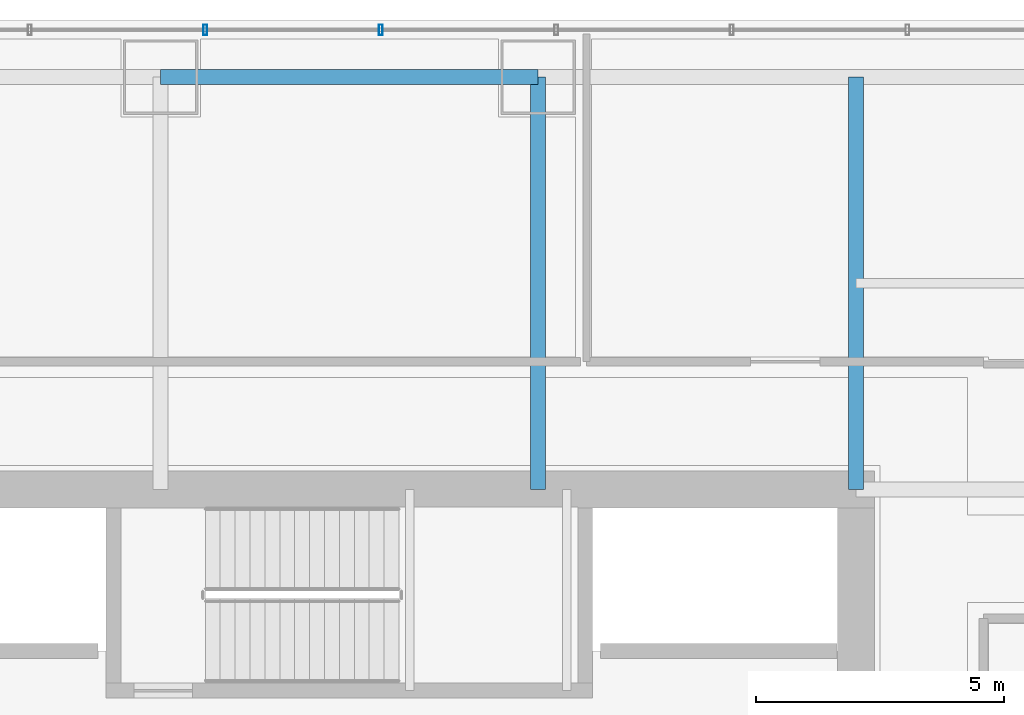
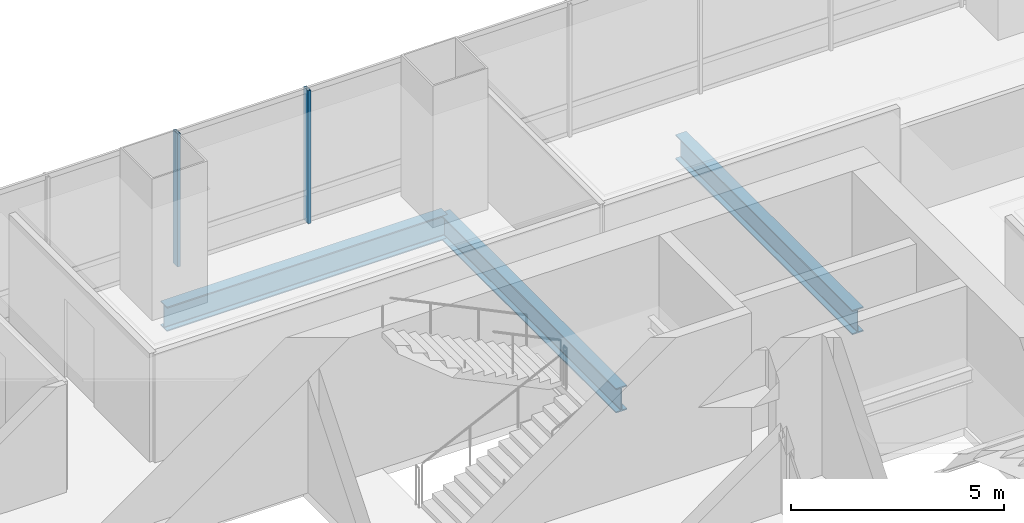
# One storey, part 20 of 35: 3 beams, 2 members, 1 element without a shape of its own.
"""IFC4 building model written with IfcOpenShell, lengths in metres."""

from ifc_helpers import new_model, si_unit, direction, frame, origin, origin_2d, place, context, subcontext, project, spatial, hollow_rectangle, i_section, extrude, material, material_profile, profile_set, type_object, element, aggregate, save


model = new_model("IFC4")

# Units and contexts
model_context = context("Model", 3, precision=1e-05, world=origin(), true_north=direction((0.0, 1.0)))
body_context = subcontext(model_context, "Body", "Model", "MODEL_VIEW")
ifc_project = project(units=[si_unit("LENGTHUNIT", "METRE"), si_unit("AREAUNIT", "SQUARE_METRE"), si_unit("VOLUMEUNIT", "CUBIC_METRE"), si_unit("PLANEANGLEUNIT", "RADIAN"), si_unit("MASSUNIT", "GRAM", prefix="KILO")], contexts=[model_context])

# Site, building, storey
site_placement = place(None, origin())
site = spatial("IfcSite", under=ifc_project, at=site_placement, CompositionType="ELEMENT")
building_placement = place(site_placement, origin())
building = spatial("IfcBuilding", under=site, at=building_placement, Name="Punatoya Terracotta Tower", CompositionType="ELEMENT")
storey_placement = place(building_placement, frame((0.0, 0.0, 64.64990234375)))
storey = spatial("IfcBuildingStorey", under=building, at=storey_placement, Name="L14", CompositionType="ELEMENT", Elevation=64.64990234375)

# Beams
ifc_material_1 = material(Name="Steel S355", Category="steel")
ifc_material_profile_1 = material_profile(ifc_material_1, i_section(OverallWidth=0.300048828125, OverallDepth=0.699951171875, WebThickness=0.01708984375, FlangeThickness=0.031982421875, FilletRadius=0.01806640625, at=origin_2d()))
ifc_profile_set_1 = profile_set([ifc_material_profile_1], Name="Steel S355")
beam_type = type_object("IfcBeamType", Name="BM-PRI-700", PredefinedType="BEAM", material=ifc_profile_set_1)
beam_placement = place(storey_placement, frame((-3.800048828125, 17.5, -0.58984375), z_axis=(1.0, 0.0, 0.0), x_axis=(0.0, 1.0, 0.0)))
element("IfcBeam", 1, at=beam_placement, inside=storey, type_object=beam_type, Name="BM-L14-RG-N2", PredefinedType="BEAM", context=body_context, shape_type="SweptSolid", body=[
    extrude(i_section(OverallWidth=0.300048828125, OverallDepth=0.699951171875, WebThickness=0.01708984375, FlangeThickness=0.031982421875, FilletRadius=0.01806640625, at=origin_2d()), origin(), (0.0, 0.0, 1.0), 7.60009765625),
])
for number, where, z_axis, x_axis, name in (
    (2, (3.800048828125, 9.199951171875, -0.58984375), (0.0, 1.0, 0.0), (-1.0, 0.0, 0.0), "BM-L14-PR-N3"),
    (3, (10.199951171875, 9.199951171875, -0.58984375), (0.0, 1.0, 0.0), (-1.0, 0.0, 0.0), "BM-L14-PR-N4"),
):
    element("IfcBeam", number, at=place(storey_placement, frame(where, z_axis=z_axis, x_axis=x_axis)), inside=storey, type_object=beam_type, Name=name, PredefinedType="BEAM", context=body_context, shape_type="SweptSolid", body=[
        extrude(i_section(OverallWidth=0.300048828125, OverallDepth=0.699951171875, WebThickness=0.01708984375, FlangeThickness=0.031982421875, FilletRadius=0.01806640625, at=origin_2d()), origin(), (0.0, 0.0, 1.0), 8.300048828125),
    ])

# Curtain wall, members
ifc_material_2 = material(Name="Aluminium 6063-T6 + Double Low-E Glass", Category="aluminium")
curtain_wall_type = type_object("IfcCurtainWallType", Name="CW-M1", PredefinedType="NOTDEFINED", material=ifc_material_2)
curtain_wall_placement = place(storey_placement, origin())
curtain_wall = element("IfcCurtainWall", 4, at=curtain_wall_placement, inside=storey, type_object=curtain_wall_type, Name="L14 Curtain Wall CW-L14-N09-1", PredefinedType="NOTDEFINED")
ifc_material_3 = material(Name="Aluminium 6063-T6", Category="aluminium")
ifc_material_profile_2 = material_profile(ifc_material_3, hollow_rectangle(XDim=0.074951171875, YDim=0.2099609375, WallThickness=0.00439453125, at=origin_2d()))
ifc_profile_set_2 = profile_set([ifc_material_profile_2], Name="Aluminium 6063-T6")
member_type = type_object("IfcMemberType", Name="CW-MUL-M1", PredefinedType="MULLION", material=ifc_profile_set_2)
member_1_placement = place(storey_placement, frame((0.633056640625, 18.449951171875, 0.0), z_axis=(0.0, 0.0, 1.0), x_axis=(1.0, 0.0, 0.0)))
member_1 = element("IfcMember", 5, at=member_1_placement, type_object=member_type, Name="CW-L14-N09-1 Mullion 06", PredefinedType="MULLION", context=body_context, shape_type="SweptSolid", body=[
    extrude(hollow_rectangle(XDim=0.074951171875, YDim=0.2099609375, WallThickness=0.00439453125, at=origin_2d()), origin(), (0.0, 0.0, 1.0), 3.81005859375),
])
member_2_placement = place(storey_placement, frame((-2.90087890625, 18.449951171875, 0.0), z_axis=(0.0, 0.0, 1.0), x_axis=(1.0, 0.0, 0.0)))
member_2 = element("IfcMember", 6, at=member_2_placement, type_object=member_type, Name="CW-L14-N09-1 Mullion 07", PredefinedType="MULLION", context=body_context, shape_type="SweptSolid", body=[
    extrude(hollow_rectangle(XDim=0.074951171875, YDim=0.2099609375, WallThickness=0.00439453125, at=origin_2d()), origin(), (0.0, 0.0, 1.0), 3.81005859375),
])
aggregate(curtain_wall, [member_1, member_2])

save(model, "model.ifc")
